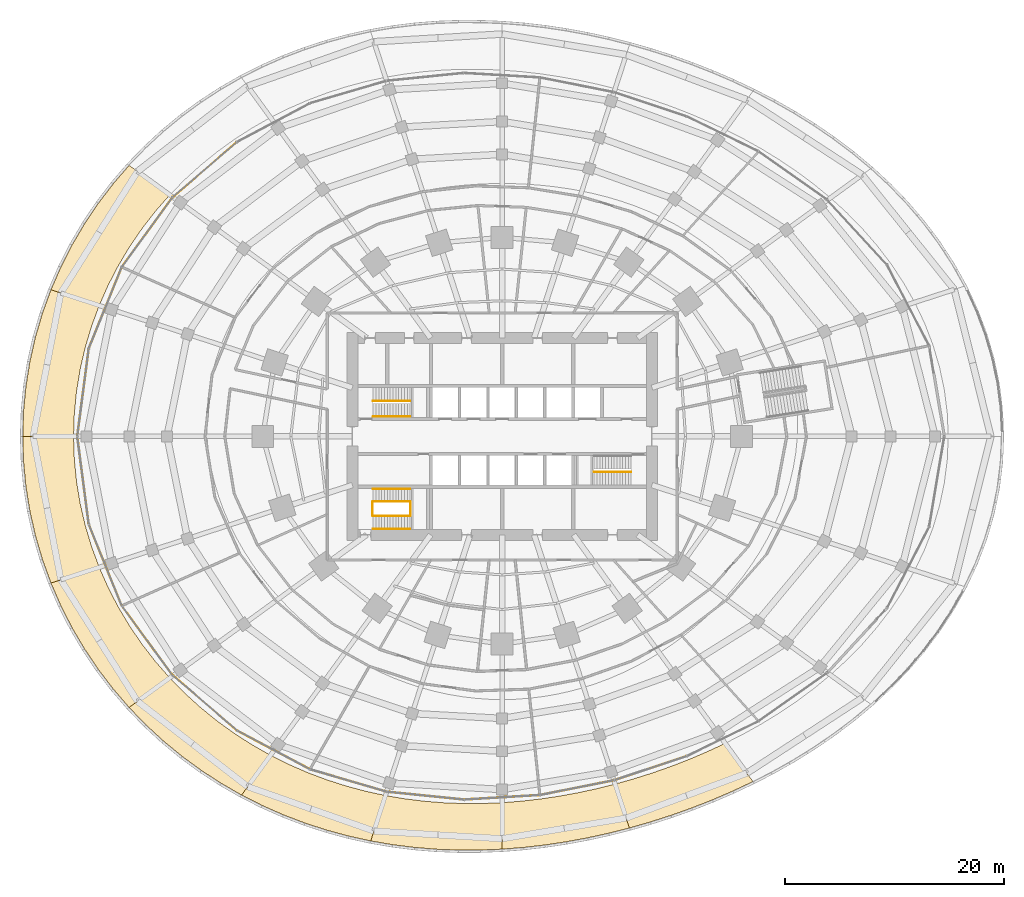
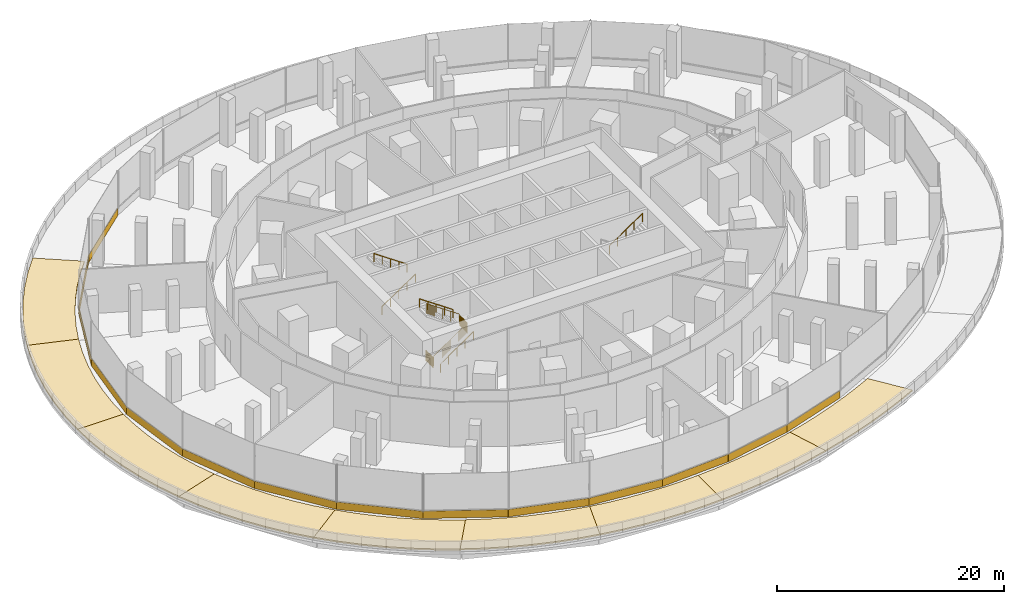
# One storey, part 29 of 31: 23 coverings, 9 railings.
"""IFC4 building model written with IfcOpenShell, lengths in metres."""

from ifc_helpers import new_model, si_unit, direction, frame, origin, origin_2d, place, context, subcontext, project, spatial, polyline, rectangle, circle, outline, extrude, material, layer, layer_set, type_object, element, save


model = new_model("IFC4")

# Units and contexts
model_context = context("Model", 3, precision=1e-05, world=origin(), true_north=direction((0.0, 1.0)))
body_context = subcontext(model_context, "Body", "Model", "MODEL_VIEW")
ifc_project = project(units=[si_unit("LENGTHUNIT", "METRE"), si_unit("AREAUNIT", "SQUARE_METRE"), si_unit("VOLUMEUNIT", "CUBIC_METRE"), si_unit("PLANEANGLEUNIT", "RADIAN"), si_unit("MASSUNIT", "GRAM", prefix="KILO")], contexts=[model_context])

# Site, building, storey
site_placement = place(None, origin())
site = spatial("IfcSite", under=ifc_project, at=site_placement, CompositionType="ELEMENT")
building_placement = place(site_placement, origin())
building = spatial("IfcBuilding", under=site, at=building_placement, Name="Marramba Exchange Tower", CompositionType="ELEMENT")
storey_placement = place(building_placement, frame((0.0, 0.0, 5.60009765625)))
storey = spatial("IfcBuildingStorey", under=building, at=storey_placement, Name="L01", CompositionType="ELEMENT", Elevation=5.60009765625)

# Coverings
ifc_material_1 = material(Name="Extensive green roof: growing medium on drainage cell, filter fabric and root-barrier membrane")
ifc_layer_1 = layer(ifc_material_1, 0.14990234375)
ifc_layer_set_1 = layer_set([ifc_layer_1], Name="Planted roof build-up 150")
covering_type_1 = type_object("IfcCoveringType", Name="Planted roof build-up 150", PredefinedType="ROOFING", material=ifc_layer_set_1)
covering_1_placement = place(storey_placement, origin())
element("IfcCovering", 1, at=covering_1_placement, inside=storey, type_object=covering_type_1, Name="Planted roof build-up L01 bay 09", PredefinedType="ROOFING", context=body_context, shape_type="SweptSolid", body=[
    extrude(outline(polyline([(-30.401611328125, 22.088134765625), (-31.709228515625, 20.59228515625), (-32.932861328125, 19.013671875), (-34.065673828125, 17.357421875), (-35.10107421875, 15.6279296875), (-36.0322265625, 13.83154296875), (-36.853515625, 11.974365234375), (-41.266845703125, 13.408447265625), (-41.266845703125, 13.408447265625), (-40.360595703125, 15.492919921875), (-39.331787109375, 17.511474609375), (-38.186279296875, 19.456787109375), (-36.93115234375, 21.322265625), (-35.573486328125, 23.1015625), (-34.12060546875, 24.7900390625), (-34.12060546875, 24.7900390625), (-30.401611328125, 22.088134765625)])), origin(), (0.0, 0.0, 1.0), 0.14990234375),
])
covering_2_placement = place(storey_placement, origin())
element("IfcCovering", 2, at=covering_2_placement, inside=storey, type_object=covering_type_1, Name="Planted roof build-up L01 bay 10", PredefinedType="ROOFING", context=body_context, shape_type="SweptSolid", body=[
    extrude(outline(polyline([(-36.853515625, 11.974365234375), (-37.558837890625, 10.06396484375), (-38.1435546875, 8.107666015625), (-38.60302734375, 6.114013671875), (-38.933837890625, 4.092041015625), (-39.13330078125, 2.05078125), (-39.199951171875, 0.0), (-43.85009765625, 0.0), (-43.776611328125, 2.294189453125), (-43.557373046875, 4.578125), (-43.193603515625, 6.84130859375), (-42.688232421875, 9.07373046875), (-42.04443359375, 11.265869140625), (-41.266845703125, 13.408447265625), (-36.853515625, 11.974365234375)])), origin(), (0.0, 0.0, 1.0), 0.14990234375),
])
covering_3_placement = place(storey_placement, origin())
element("IfcCovering", 3, at=covering_3_placement, inside=storey, type_object=covering_type_1, Name="Planted roof build-up L01 bay 11", PredefinedType="ROOFING", context=body_context, shape_type="SweptSolid", body=[
    extrude(outline(polyline([(-39.199951171875, 0.0), (-39.13330078125, -2.05078125), (-38.933837890625, -4.092041015625), (-38.60302734375, -6.114013671875), (-38.1435546875, -8.107666015625), (-37.558837890625, -10.06396484375), (-36.853515625, -11.974365234375), (-41.266845703125, -13.408447265625), (-42.04443359375, -11.265869140625), (-42.688232421875, -9.07373046875), (-43.193603515625, -6.84130859375), (-43.557373046875, -4.578125), (-43.776611328125, -2.294189453125), (-43.85009765625, 0.0), (-39.199951171875, 0.0)])), origin(), (0.0, 0.0, 1.0), 0.14990234375),
])
covering_4_placement = place(storey_placement, origin())
element("IfcCovering", 4, at=covering_4_placement, inside=storey, type_object=covering_type_1, Name="Planted roof build-up L01 bay 12", PredefinedType="ROOFING", context=body_context, shape_type="SweptSolid", body=[
    extrude(outline(polyline([(-36.853515625, -11.974365234375), (-36.0322265625, -13.83154296875), (-35.10107421875, -15.6279296875), (-34.065673828125, -17.357421875), (-32.932861328125, -19.013671875), (-31.709228515625, -20.59228515625), (-30.401611328125, -22.088134765625), (-34.12060546875, -24.7900390625), (-34.12060546875, -24.7900390625), (-35.573486328125, -23.1015625), (-36.93115234375, -21.322265625), (-38.186279296875, -19.456787109375), (-39.331787109375, -17.511474609375), (-40.360595703125, -15.492919921875), (-41.266845703125, -13.408447265625), (-41.266845703125, -13.408447265625), (-36.853515625, -11.974365234375)])), origin(), (0.0, 0.0, 1.0), 0.14990234375),
])
covering_5_placement = place(storey_placement, origin())
element("IfcCovering", 5, at=covering_5_placement, inside=storey, type_object=covering_type_1, Name="Planted roof build-up L01 bay 13", PredefinedType="ROOFING", context=body_context, shape_type="SweptSolid", body=[
    extrude(outline(polyline([(-30.401611328125, -22.088134765625), (-29.01708984375, -23.49755859375), (-27.56298828125, -24.81787109375), (-26.0458984375, -26.0458984375), (-24.47314453125, -27.18017578125), (-22.8515625, -28.219482421875), (-21.18798828125, -29.162841796875), (-23.833251953125, -32.8037109375), (-23.833251953125, -32.8037109375), (-25.696044921875, -31.732177734375), (-27.510009765625, -30.552734375), (-29.266845703125, -29.266845703125), (-30.95947265625, -27.876220703125), (-32.580078125, -26.3828125), (-34.12060546875, -24.7900390625), (-30.401611328125, -22.088134765625)])), origin(), (0.0, 0.0, 1.0), 0.14990234375),
])
covering_6_placement = place(storey_placement, origin())
element("IfcCovering", 6, at=covering_6_placement, inside=storey, type_object=covering_type_1, Name="Planted roof build-up L01 bay 14", PredefinedType="ROOFING", context=body_context, shape_type="SweptSolid", body=[
    extrude(outline(polyline([(-21.18798828125, -29.162841796875), (-19.489013671875, -30.01025390625), (-17.7607421875, -30.762451171875), (-16.009521484375, -31.420654296875), (-14.240966796875, -31.98583984375), (-12.46044921875, -32.460693359375), (-10.6728515625, -32.84765625), (-12.022216796875, -37.000732421875), (-12.022216796875, -37.000732421875), (-14.03369140625, -36.55908203125), (-16.035888671875, -36.017333984375), (-18.0234375, -35.372802734375), (-19.98974609375, -34.623291015625), (-21.9287109375, -33.767333984375), (-23.833251953125, -32.8037109375), (-21.18798828125, -29.162841796875)])), origin(), (0.0, 0.0, 1.0), 0.14990234375),
])
covering_7_placement = place(storey_placement, origin())
element("IfcCovering", 7, at=covering_7_placement, inside=storey, type_object=covering_type_1, Name="Planted roof build-up L01 bay 15", PredefinedType="ROOFING", context=body_context, shape_type="SweptSolid", body=[
    extrude(outline(polyline([(-10.6728515625, -32.84765625), (-8.88232421875, -33.1494140625), (-7.0927734375, -33.369140625), (-5.3076171875, -33.5107421875), (-3.529052734375, -33.5771484375), (-1.759521484375, -33.572509765625), (0.0, -33.5), (0.0, -37.75), (-1.982666015625, -37.83203125), (-3.976806640625, -37.83642578125), (-5.98046875, -37.759765625), (-7.99169921875, -37.597412109375), (-10.0068359375, -37.345703125), (-12.022216796875, -37.000732421875), (-10.6728515625, -32.84765625)])), origin(), (0.0, 0.0, 1.0), 0.14990234375),
])
covering_8_placement = place(storey_placement, origin())
element("IfcCovering", 8, at=covering_8_placement, inside=storey, type_object=covering_type_1, Name="Planted roof build-up L01 bay 16", PredefinedType="ROOFING", context=body_context, shape_type="SweptSolid", body=[
    extrude(outline(polyline([(0.0, -33.5), (1.74853515625, -33.363037109375), (3.48583984375, -33.164794921875), (5.212158203125, -32.907470703125), (6.927978515625, -32.59375), (8.634521484375, -32.224853515625), (10.3330078125, -31.801513671875), (11.636962890625, -35.81494140625), (9.725830078125, -36.29736328125), (7.8046875, -36.718017578125), (5.872314453125, -37.07568359375), (3.927490234375, -37.36865234375), (1.97021484375, -37.594482421875), (0.0, -37.75), (0.0, -33.5)])), origin(), (0.0, 0.0, 1.0), 0.14990234375),
])
covering_9_placement = place(storey_placement, origin())
element("IfcCovering", 9, at=covering_9_placement, inside=storey, type_object=covering_type_1, Name="Planted roof build-up L01 bay 17", PredefinedType="ROOFING", context=body_context, shape_type="SweptSolid", body=[
    extrude(outline(polyline([(10.3330078125, -31.801513671875), (12.024169921875, -31.323974609375), (13.70947265625, -30.791748046875), (15.389404296875, -30.203125), (17.064208984375, -29.55615234375), (18.73388671875, -28.84765625), (20.39697265625, -28.073974609375), (22.93798828125, -31.571533203125), (21.073974609375, -32.450927734375), (19.200927734375, -33.257080078125), (17.32080078125, -33.993896484375), (15.43359375, -34.664306640625), (13.5390625, -35.270751953125), (11.636962890625, -35.81494140625), (11.636962890625, -35.81494140625), (10.3330078125, -31.801513671875)])), origin(), (0.0, 0.0, 1.0), 0.14990234375),
])
ifc_material_2 = material(Name="Aluminium spandrel panel, bronze anodised, insulated", Category="aluminium")
ifc_layer_2 = layer(ifc_material_2, 0.050048828125)
ifc_layer_set_2 = layer_set([ifc_layer_2], Name="Spandrel panel 800")
covering_type_2 = type_object("IfcCoveringType", Name="Spandrel panel 800", PredefinedType="CLADDING", material=ifc_layer_set_2)
covering_10_placement = place(storey_placement, frame((-27.1787109375, 24.401123046875, 0.0), z_axis=(0.0, 0.0, 1.0), x_axis=(-0.75937387338, -0.650654532319, 0.0)))
element("IfcCovering", 10, at=covering_10_placement, inside=storey, type_object=covering_type_2, Name="Spandrel panel SP1 L01 F12", PredefinedType="CLADDING", context=body_context, shape_type="SweptSolid", body=[
    extrude(rectangle(XDim=7.74267578125, YDim=0.050048828125, at=origin_2d()), origin(), (0.0, 0.0, 1.0), 0.800048828125),
])
covering_11_placement = place(storey_placement, frame((-32.449951171875, 18.68408203125, 0.0), z_axis=(0.0, 0.0, 1.0), x_axis=(-0.589045553511, -0.808099830398, 0.0)))
element("IfcCovering", 11, at=covering_11_placement, inside=storey, type_object=covering_type_2, Name="Spandrel panel SP1 L01 F13", PredefinedType="CLADDING", context=body_context, shape_type="SweptSolid", body=[
    extrude(rectangle(XDim=7.915771484375, YDim=0.050048828125, at=origin_2d()), origin(), (0.0, 0.0, 1.0), 0.800048828125),
])
covering_12_placement = place(storey_placement, frame((-36.291259765625, 11.76025390625, 0.0), z_axis=(0.0, 0.0, 1.0), x_axis=(-0.375631794946, -0.926768986655, 0.0)))
element("IfcCovering", 12, at=covering_12_placement, inside=storey, type_object=covering_type_2, Name="Spandrel panel SP1 L01 F14", PredefinedType="CLADDING", context=body_context, shape_type="SweptSolid", body=[
    extrude(rectangle(XDim=8.03955078125, YDim=0.050048828125, at=origin_2d()), origin(), (0.0, 0.0, 1.0), 0.800048828125),
])
for number, where, z_axis, x_axis, name in (
    (13, (-38.325439453125, 4.017333984375, 0.0), (0.0, 0.0, 1.0), (-0.129442539429, -0.991586924574, 0.0), "Spandrel panel SP1 L01 F15"),
    (14, (-38.325439453125, -4.017333984375, 0.0), (0.0, 0.0, 1.0), (0.129442539429, -0.991586924574, 0.0), "Spandrel panel SP1 L01 F16"),
):
    element("IfcCovering", number, at=place(storey_placement, frame(where, z_axis=z_axis, x_axis=x_axis)), inside=storey, type_object=covering_type_2, Name=name, PredefinedType="CLADDING", context=body_context, shape_type="SweptSolid", body=[
        extrude(rectangle(XDim=8.10302734375, YDim=0.050048828125, at=origin_2d()), origin(), (0.0, 0.0, 1.0), 0.800048828125),
    ])
covering_13_placement = place(storey_placement, frame((-36.291259765625, -11.76025390625, 0.0), z_axis=(0.0, 0.0, 1.0), x_axis=(0.375631794946, -0.926768986655, 0.0)))
element("IfcCovering", 15, at=covering_13_placement, inside=storey, type_object=covering_type_2, Name="Spandrel panel SP1 L01 F17", PredefinedType="CLADDING", context=body_context, shape_type="SweptSolid", body=[
    extrude(rectangle(XDim=8.03955078125, YDim=0.050048828125, at=origin_2d()), origin(), (0.0, 0.0, 1.0), 0.800048828125),
])
covering_14_placement = place(storey_placement, frame((-32.449951171875, -18.68408203125, 0.0), z_axis=(0.0, 0.0, 1.0), x_axis=(0.589045553511, -0.808099830398, 0.0)))
element("IfcCovering", 16, at=covering_14_placement, inside=storey, type_object=covering_type_2, Name="Spandrel panel SP1 L01 F18", PredefinedType="CLADDING", context=body_context, shape_type="SweptSolid", body=[
    extrude(rectangle(XDim=7.915771484375, YDim=0.050048828125, at=origin_2d()), origin(), (0.0, 0.0, 1.0), 0.800048828125),
])
covering_15_placement = place(storey_placement, frame((-27.1787109375, -24.401123046875, 0.0), z_axis=(0.0, 0.0, 1.0), x_axis=(0.75937387338, -0.650654532319, 0.0)))
element("IfcCovering", 17, at=covering_15_placement, inside=storey, type_object=covering_type_2, Name="Spandrel panel SP1 L01 F19", PredefinedType="CLADDING", context=body_context, shape_type="SweptSolid", body=[
    extrude(rectangle(XDim=7.74267578125, YDim=0.050048828125, at=origin_2d()), origin(), (0.0, 0.0, 1.0), 0.800048828125),
])
covering_16_placement = place(storey_placement, frame((-20.912353515625, -28.689697265625, 0.0), z_axis=(0.0, 0.0, 1.0), x_axis=(0.882850649292, -0.469653841722, 0.0)))
element("IfcCovering", 18, at=covering_16_placement, inside=storey, type_object=covering_type_2, Name="Spandrel panel SP1 L01 F20", PredefinedType="CLADDING", context=body_context, shape_type="SweptSolid", body=[
    extrude(rectangle(XDim=7.5361328125, YDim=0.050048828125, at=origin_2d()), origin(), (0.0, 0.0, 1.0), 0.800048828125),
])
covering_17_placement = place(storey_placement, frame((-14.0751953125, -31.487060546875, 0.0), z_axis=(0.0, 0.0, 1.0), x_axis=(0.959725288958, -0.280940153297, 0.0)))
element("IfcCovering", 19, at=covering_17_placement, inside=storey, type_object=covering_type_2, Name="Spandrel panel SP1 L01 F21", PredefinedType="CLADDING", context=body_context, shape_type="SweptSolid", body=[
    extrude(rectangle(XDim=7.315673828125, YDim=0.050048828125, at=origin_2d()), origin(), (0.0, 0.0, 1.0), 0.800048828125),
])
covering_18_placement = place(storey_placement, frame((-7.028564453125, -32.871826171875, 0.0), z_axis=(0.0, 0.0, 1.0), x_axis=(0.994936466156, -0.100505862083, 0.0)))
element("IfcCovering", 20, at=covering_18_placement, inside=storey, type_object=covering_type_2, Name="Spandrel panel SP1 L01 F22", PredefinedType="CLADDING", context=body_context, shape_type="SweptSolid", body=[
    extrude(rectangle(XDim=7.108154296875, YDim=0.050048828125, at=origin_2d()), origin(), (0.0, 0.0, 1.0), 0.800048828125),
])
covering_19_placement = place(storey_placement, frame((-0.021728515625, -33.02294921875, 0.0), z_axis=(0.0, 0.0, 1.0), x_axis=(0.998239184038, 0.059317210412, 0.0)))
element("IfcCovering", 21, at=covering_19_placement, inside=storey, type_object=covering_type_2, Name="Spandrel panel SP1 L01 F23", PredefinedType="CLADDING", context=body_context, shape_type="SweptSolid", body=[
    extrude(rectangle(XDim=6.953857421875, YDim=0.050048828125, at=origin_2d()), origin(), (0.0, 0.0, 1.0), 0.800048828125),
])
covering_20_placement = place(storey_placement, frame((6.8369140625, -32.142578125, 0.0), z_axis=(0.0, 0.0, 1.0), x_axis=(0.980779440443, 0.195119679183, 0.0)))
element("IfcCovering", 22, at=covering_20_placement, inside=storey, type_object=covering_type_2, Name="Spandrel panel SP1 L01 F24", PredefinedType="CLADDING", context=body_context, shape_type="SweptSolid", body=[
    extrude(rectangle(XDim=6.908447265625, YDim=0.050048828125, at=origin_2d()), origin(), (0.0, 0.0, 1.0), 0.800048828125),
])
covering_21_placement = place(storey_placement, frame((13.55712890625, -30.36083984375, 0.0), z_axis=(0.0, 0.0, 1.0), x_axis=(0.948934100203, 0.315474362621, 0.0)))
element("IfcCovering", 23, at=covering_21_placement, inside=storey, type_object=covering_type_2, Name="Spandrel panel SP1 L01 F25", PredefinedType="CLADDING", context=body_context, shape_type="SweptSolid", body=[
    extrude(rectangle(XDim=7.023193359375, YDim=0.050048828125, at=origin_2d()), origin(), (0.0, 0.0, 1.0), 0.800048828125),
])

# Railings
ifc_material_3 = material(Name="Stainless steel handrail", Category="steel")
railing_type_1 = type_object("IfcRailingType", Name="Stair handrail 900", PredefinedType="HANDRAIL", material=ifc_material_3)
railing_1_placement = place(storey_placement, frame((-11.800048828125, 1.800048828125, 0.178466796875)))
element("IfcRailing", 24, at=railing_1_placement, inside=storey, type_object=railing_type_1, Name="Handrail HR1 ST1 L01 flight 1", PredefinedType="HANDRAIL", context=body_context, shape_type="SweptSolid", body=[
    extrude(circle(Radius=0.02392578125, at=origin_2d()), frame((0.0, 0.0, 0.8759765625), z_axis=(0.824304150675, 0.0, 0.566147213346), x_axis=(0.0, 1.0, 0.0)), (0.0, 0.0, 1.0), 4.1005859375),
    extrude(circle(Radius=0.02099609375, at=origin_2d()), origin(), (0.0, 0.0, 1.0), 0.851806640625),
    extrude(circle(Radius=0.02099609375, at=origin_2d()), frame((0.844970703125, 0.0, 0.580322265625)), (0.0, 0.0, 1.0), 0.851806640625),
    extrude(circle(Radius=0.02099609375, at=origin_2d()), frame((1.68994140625, 0.0, 1.16064453125)), (0.0, 0.0, 1.0), 0.851806640625),
    extrude(circle(Radius=0.02099609375, at=origin_2d()), frame((2.53515625, 0.0, 1.7412109375)), (0.0, 0.0, 1.0), 0.851806640625),
    extrude(circle(Radius=0.02099609375, at=origin_2d()), frame((3.380126953125, 0.0, 2.321533203125)), (0.0, 0.0, 1.0), 0.851806640625),
])
railing_2_placement = place(storey_placement, frame((-8.419921875, 3.25, 2.678466796875)))
element("IfcRailing", 25, at=railing_2_placement, inside=storey, type_object=railing_type_1, Name="Handrail HR1 ST1 L01 flight 2", PredefinedType="HANDRAIL", context=body_context, shape_type="SweptSolid", body=[
    extrude(circle(Radius=0.02392578125, at=origin_2d()), frame((0.0, 0.0, 0.8759765625), z_axis=(-0.824304150675, 0.0, 0.566147213346), x_axis=(0.0, -1.0, 0.0)), (0.0, 0.0, 1.0), 4.1005859375),
    extrude(circle(Radius=0.02099609375, at=origin_2d()), origin(), (0.0, 0.0, 1.0), 0.851806640625),
    extrude(circle(Radius=0.02099609375, at=origin_2d()), frame((-0.844970703125, 0.0, 0.580322265625)), (0.0, 0.0, 1.0), 0.851806640625),
    extrude(circle(Radius=0.02099609375, at=origin_2d()), frame((-1.68994140625, 0.0, 1.16064453125)), (0.0, 0.0, 1.0), 0.851806640625),
    extrude(circle(Radius=0.02099609375, at=origin_2d()), frame((-2.53515625, 0.0, 1.7412109375)), (0.0, 0.0, 1.0), 0.851806640625),
    extrude(circle(Radius=0.02099609375, at=origin_2d()), frame((-3.380126953125, 0.0, 2.321533203125)), (0.0, 0.0, 1.0), 0.851806640625),
])
for number, where, name in (
    (26, (8.419921875, -3.25, 2.678466796875), "Handrail HR1 ST2 L01 flight 2"),
    (27, (-11.800048828125, -8.449951171875, 0.178466796875), "Handrail HR1 ST3 L01 flight 1"),
):
    element("IfcRailing", number, at=place(storey_placement, frame(where)), inside=storey, type_object=railing_type_1, Name=name, PredefinedType="HANDRAIL", context=body_context, shape_type="SweptSolid", body=[
        extrude(circle(Radius=0.02392578125, at=origin_2d()), frame((0.0, 0.0, 0.8759765625), z_axis=(0.824304150675, 0.0, 0.566147213346), x_axis=(0.0, 1.0, 0.0)), (0.0, 0.0, 1.0), 4.1005859375),
        extrude(circle(Radius=0.02099609375, at=origin_2d()), origin(), (0.0, 0.0, 1.0), 0.851806640625),
        extrude(circle(Radius=0.02099609375, at=origin_2d()), frame((0.844970703125, 0.0, 0.580322265625)), (0.0, 0.0, 1.0), 0.851806640625),
        extrude(circle(Radius=0.02099609375, at=origin_2d()), frame((1.68994140625, 0.0, 1.16064453125)), (0.0, 0.0, 1.0), 0.851806640625),
        extrude(circle(Radius=0.02099609375, at=origin_2d()), frame((2.53515625, 0.0, 1.7412109375)), (0.0, 0.0, 1.0), 0.851806640625),
        extrude(circle(Radius=0.02099609375, at=origin_2d()), frame((3.380126953125, 0.0, 2.321533203125)), (0.0, 0.0, 1.0), 0.851806640625),
    ])
railing_3_placement = place(storey_placement, frame((-8.419921875, -4.800048828125, 2.678466796875)))
element("IfcRailing", 28, at=railing_3_placement, inside=storey, type_object=railing_type_1, Name="Handrail HR1 ST3 L01 flight 2", PredefinedType="HANDRAIL", context=body_context, shape_type="SweptSolid", body=[
    extrude(circle(Radius=0.02392578125, at=origin_2d()), frame((0.0, 0.0, 0.8759765625), z_axis=(-0.824304150675, 0.0, 0.566147213346), x_axis=(0.0, -1.0, 0.0)), (0.0, 0.0, 1.0), 4.1005859375),
    extrude(circle(Radius=0.02099609375, at=origin_2d()), origin(), (0.0, 0.0, 1.0), 0.851806640625),
    extrude(circle(Radius=0.02099609375, at=origin_2d()), frame((-0.844970703125, 0.0, 0.580322265625)), (0.0, 0.0, 1.0), 0.851806640625),
    extrude(circle(Radius=0.02099609375, at=origin_2d()), frame((-1.68994140625, 0.0, 1.16064453125)), (0.0, 0.0, 1.0), 0.851806640625),
    extrude(circle(Radius=0.02099609375, at=origin_2d()), frame((-2.53515625, 0.0, 1.7412109375)), (0.0, 0.0, 1.0), 0.851806640625),
    extrude(circle(Radius=0.02099609375, at=origin_2d()), frame((-3.380126953125, 0.0, 2.321533203125)), (0.0, 0.0, 1.0), 0.851806640625),
])
ifc_material_4 = material(Name="Stainless steel guard", Category="steel")
railing_type_2 = type_object("IfcRailingType", Name="Stair well guard 1100", PredefinedType="GUARDRAIL", material=ifc_material_4)
railing_4_placement = place(storey_placement, frame((-11.800048828125, -7.300048828125, 0.178466796875)))
element("IfcRailing", 29, at=railing_4_placement, inside=storey, type_object=railing_type_2, Name="Stair well guard GR2 ST3 L01 flight 1", PredefinedType="GUARDRAIL", context=body_context, shape_type="SweptSolid", body=[
    extrude(circle(Radius=0.02392578125, at=origin_2d()), frame((0.0, 0.0, 1.076171875), z_axis=(0.824304150675, 0.0, 0.566147213346), x_axis=(0.0, 1.0, 0.0)), (0.0, 0.0, 1.0), 4.1005859375),
    extrude(circle(Radius=0.02099609375, at=origin_2d()), origin(), (0.0, 0.0, 1.0), 1.052001953125),
    extrude(circle(Radius=0.02099609375, at=origin_2d()), frame((0.844970703125, 0.0, 0.580322265625)), (0.0, 0.0, 1.0), 1.052001953125),
    extrude(circle(Radius=0.02099609375, at=origin_2d()), frame((1.68994140625, 0.0, 1.16064453125)), (0.0, 0.0, 1.0), 1.052001953125),
    extrude(circle(Radius=0.02099609375, at=origin_2d()), frame((2.53515625, 0.0, 1.7412109375)), (0.0, 0.0, 1.0), 1.052001953125),
    extrude(circle(Radius=0.02099609375, at=origin_2d()), frame((3.380126953125, 0.0, 2.321533203125)), (0.0, 0.0, 1.0), 1.052001953125),
    extrude(circle(Radius=0.006103515625, at=origin_2d()), frame((0.116943359375, 0.0, 0.080322265625)), (0.0, 0.0, 1.0), 1.052001953125),
    extrude(circle(Radius=0.006103515625, at=origin_2d()), frame((0.21875, 0.0, 0.150146484375)), (0.0, 0.0, 1.0), 1.052001953125),
    extrude(circle(Radius=0.006103515625, at=origin_2d()), frame((0.320556640625, 0.0, 0.22021484375)), (0.0, 0.0, 1.0), 1.052001953125),
    extrude(circle(Radius=0.006103515625, at=origin_2d()), frame((0.422607421875, 0.0, 0.290283203125)), (0.0, 0.0, 1.0), 1.052001953125),
    extrude(circle(Radius=0.006103515625, at=origin_2d()), frame((0.5244140625, 0.0, 0.360107421875)), (0.0, 0.0, 1.0), 1.052001953125),
    extrude(circle(Radius=0.006103515625, at=origin_2d()), frame((0.626220703125, 0.0, 0.43017578125)), (0.0, 0.0, 1.0), 1.052001953125),
    extrude(circle(Radius=0.006103515625, at=origin_2d()), frame((0.728271484375, 0.0, 0.5)), (0.0, 0.0, 1.0), 1.052001953125),
    extrude(circle(Radius=0.006103515625, at=origin_2d()), frame((0.9619140625, 0.0, 0.66064453125)), (0.0, 0.0, 1.0), 1.052001953125),
    extrude(circle(Radius=0.006103515625, at=origin_2d()), frame((1.063720703125, 0.0, 0.730712890625)), (0.0, 0.0, 1.0), 1.052001953125),
    extrude(circle(Radius=0.006103515625, at=origin_2d()), frame((1.165771484375, 0.0, 0.800537109375)), (0.0, 0.0, 1.0), 1.052001953125),
    extrude(circle(Radius=0.006103515625, at=origin_2d()), frame((1.267578125, 0.0, 0.87060546875)), (0.0, 0.0, 1.0), 1.052001953125),
    extrude(circle(Radius=0.006103515625, at=origin_2d()), frame((1.369384765625, 0.0, 0.9404296875)), (0.0, 0.0, 1.0), 1.052001953125),
    extrude(circle(Radius=0.006103515625, at=origin_2d()), frame((1.47119140625, 0.0, 1.010498046875)), (0.0, 0.0, 1.0), 1.052001953125),
    extrude(circle(Radius=0.006103515625, at=origin_2d()), frame((1.5732421875, 0.0, 1.08056640625)), (0.0, 0.0, 1.0), 1.052001953125),
    extrude(circle(Radius=0.006103515625, at=origin_2d()), frame((1.806884765625, 0.0, 1.240966796875)), (0.0, 0.0, 1.0), 1.052001953125),
    extrude(circle(Radius=0.006103515625, at=origin_2d()), frame((1.908935546875, 0.0, 1.31103515625)), (0.0, 0.0, 1.0), 1.052001953125),
    extrude(circle(Radius=0.006103515625, at=origin_2d()), frame((2.0107421875, 0.0, 1.381103515625)), (0.0, 0.0, 1.0), 1.052001953125),
    extrude(circle(Radius=0.006103515625, at=origin_2d()), frame((2.112548828125, 0.0, 1.450927734375)), (0.0, 0.0, 1.0), 1.052001953125),
    extrude(circle(Radius=0.006103515625, at=origin_2d()), frame((2.21435546875, 0.0, 1.52099609375)), (0.0, 0.0, 1.0), 1.052001953125),
    extrude(circle(Radius=0.006103515625, at=origin_2d()), frame((2.31640625, 0.0, 1.5908203125)), (0.0, 0.0, 1.0), 1.052001953125),
    extrude(circle(Radius=0.006103515625, at=origin_2d()), frame((2.418212890625, 0.0, 1.660888671875)), (0.0, 0.0, 1.0), 1.052001953125),
    extrude(circle(Radius=0.006103515625, at=origin_2d()), frame((2.65185546875, 0.0, 1.821533203125)), (0.0, 0.0, 1.0), 1.052001953125),
    extrude(circle(Radius=0.006103515625, at=origin_2d()), frame((2.75390625, 0.0, 1.891357421875)), (0.0, 0.0, 1.0), 1.052001953125),
    extrude(circle(Radius=0.006103515625, at=origin_2d()), frame((2.855712890625, 0.0, 1.96142578125)), (0.0, 0.0, 1.0), 1.052001953125),
    extrude(circle(Radius=0.006103515625, at=origin_2d()), frame((2.95751953125, 0.0, 2.03125)), (0.0, 0.0, 1.0), 1.052001953125),
    extrude(circle(Radius=0.006103515625, at=origin_2d()), frame((3.0595703125, 0.0, 2.101318359375)), (0.0, 0.0, 1.0), 1.052001953125),
    extrude(circle(Radius=0.006103515625, at=origin_2d()), frame((3.161376953125, 0.0, 2.17138671875)), (0.0, 0.0, 1.0), 1.052001953125),
    extrude(circle(Radius=0.006103515625, at=origin_2d()), frame((3.26318359375, 0.0, 2.2412109375)), (0.0, 0.0, 1.0), 1.052001953125),
])
railing_5_placement = place(storey_placement, frame((-8.419921875, -5.949951171875, 2.678466796875)))
element("IfcRailing", 30, at=railing_5_placement, inside=storey, type_object=railing_type_2, Name="Stair well guard GR2 ST3 L01 flight 2", PredefinedType="GUARDRAIL", context=body_context, shape_type="SweptSolid", body=[
    extrude(circle(Radius=0.02392578125, at=origin_2d()), frame((0.0, 0.0, 1.076171875), z_axis=(-0.824304150675, 0.0, 0.566147213346), x_axis=(0.0, -1.0, 0.0)), (0.0, 0.0, 1.0), 4.1005859375),
    extrude(circle(Radius=0.02099609375, at=origin_2d()), origin(), (0.0, 0.0, 1.0), 1.052001953125),
    extrude(circle(Radius=0.02099609375, at=origin_2d()), frame((-0.844970703125, 0.0, 0.580322265625)), (0.0, 0.0, 1.0), 1.052001953125),
    extrude(circle(Radius=0.02099609375, at=origin_2d()), frame((-1.68994140625, 0.0, 1.16064453125)), (0.0, 0.0, 1.0), 1.052001953125),
    extrude(circle(Radius=0.02099609375, at=origin_2d()), frame((-2.53515625, 0.0, 1.7412109375)), (0.0, 0.0, 1.0), 1.052001953125),
    extrude(circle(Radius=0.02099609375, at=origin_2d()), frame((-3.380126953125, 0.0, 2.321533203125)), (0.0, 0.0, 1.0), 1.052001953125),
    extrude(circle(Radius=0.006103515625, at=origin_2d()), frame((-0.116943359375, 0.0, 0.080322265625)), (0.0, 0.0, 1.0), 1.052001953125),
    extrude(circle(Radius=0.006103515625, at=origin_2d()), frame((-0.21875, 0.0, 0.150146484375)), (0.0, 0.0, 1.0), 1.052001953125),
    extrude(circle(Radius=0.006103515625, at=origin_2d()), frame((-0.320556640625, 0.0, 0.22021484375)), (0.0, 0.0, 1.0), 1.052001953125),
    extrude(circle(Radius=0.006103515625, at=origin_2d()), frame((-0.422607421875, 0.0, 0.290283203125)), (0.0, 0.0, 1.0), 1.052001953125),
    extrude(circle(Radius=0.006103515625, at=origin_2d()), frame((-0.5244140625, 0.0, 0.360107421875)), (0.0, 0.0, 1.0), 1.052001953125),
    extrude(circle(Radius=0.006103515625, at=origin_2d()), frame((-0.626220703125, 0.0, 0.43017578125)), (0.0, 0.0, 1.0), 1.052001953125),
    extrude(circle(Radius=0.006103515625, at=origin_2d()), frame((-0.728271484375, 0.0, 0.5)), (0.0, 0.0, 1.0), 1.052001953125),
    extrude(circle(Radius=0.006103515625, at=origin_2d()), frame((-0.9619140625, 0.0, 0.66064453125)), (0.0, 0.0, 1.0), 1.052001953125),
    extrude(circle(Radius=0.006103515625, at=origin_2d()), frame((-1.063720703125, 0.0, 0.730712890625)), (0.0, 0.0, 1.0), 1.052001953125),
    extrude(circle(Radius=0.006103515625, at=origin_2d()), frame((-1.165771484375, 0.0, 0.800537109375)), (0.0, 0.0, 1.0), 1.052001953125),
    extrude(circle(Radius=0.006103515625, at=origin_2d()), frame((-1.267578125, 0.0, 0.87060546875)), (0.0, 0.0, 1.0), 1.052001953125),
    extrude(circle(Radius=0.006103515625, at=origin_2d()), frame((-1.369384765625, 0.0, 0.9404296875)), (0.0, 0.0, 1.0), 1.052001953125),
    extrude(circle(Radius=0.006103515625, at=origin_2d()), frame((-1.47119140625, 0.0, 1.010498046875)), (0.0, 0.0, 1.0), 1.052001953125),
    extrude(circle(Radius=0.006103515625, at=origin_2d()), frame((-1.5732421875, 0.0, 1.08056640625)), (0.0, 0.0, 1.0), 1.052001953125),
    extrude(circle(Radius=0.006103515625, at=origin_2d()), frame((-1.806884765625, 0.0, 1.240966796875)), (0.0, 0.0, 1.0), 1.052001953125),
    extrude(circle(Radius=0.006103515625, at=origin_2d()), frame((-1.908935546875, 0.0, 1.31103515625)), (0.0, 0.0, 1.0), 1.052001953125),
    extrude(circle(Radius=0.006103515625, at=origin_2d()), frame((-2.0107421875, 0.0, 1.381103515625)), (0.0, 0.0, 1.0), 1.052001953125),
    extrude(circle(Radius=0.006103515625, at=origin_2d()), frame((-2.112548828125, 0.0, 1.450927734375)), (0.0, 0.0, 1.0), 1.052001953125),
    extrude(circle(Radius=0.006103515625, at=origin_2d()), frame((-2.21435546875, 0.0, 1.52099609375)), (0.0, 0.0, 1.0), 1.052001953125),
    extrude(circle(Radius=0.006103515625, at=origin_2d()), frame((-2.31640625, 0.0, 1.5908203125)), (0.0, 0.0, 1.0), 1.052001953125),
    extrude(circle(Radius=0.006103515625, at=origin_2d()), frame((-2.418212890625, 0.0, 1.660888671875)), (0.0, 0.0, 1.0), 1.052001953125),
    extrude(circle(Radius=0.006103515625, at=origin_2d()), frame((-2.65185546875, 0.0, 1.821533203125)), (0.0, 0.0, 1.0), 1.052001953125),
    extrude(circle(Radius=0.006103515625, at=origin_2d()), frame((-2.75390625, 0.0, 1.891357421875)), (0.0, 0.0, 1.0), 1.052001953125),
    extrude(circle(Radius=0.006103515625, at=origin_2d()), frame((-2.855712890625, 0.0, 1.96142578125)), (0.0, 0.0, 1.0), 1.052001953125),
    extrude(circle(Radius=0.006103515625, at=origin_2d()), frame((-2.95751953125, 0.0, 2.03125)), (0.0, 0.0, 1.0), 1.052001953125),
    extrude(circle(Radius=0.006103515625, at=origin_2d()), frame((-3.0595703125, 0.0, 2.101318359375)), (0.0, 0.0, 1.0), 1.052001953125),
    extrude(circle(Radius=0.006103515625, at=origin_2d()), frame((-3.161376953125, 0.0, 2.17138671875)), (0.0, 0.0, 1.0), 1.052001953125),
    extrude(circle(Radius=0.006103515625, at=origin_2d()), frame((-3.26318359375, 0.0, 2.2412109375)), (0.0, 0.0, 1.0), 1.052001953125),
])
for number, where, name in (
    (31, (-8.3701171875, -7.25, 2.5), "Stair well guard GR2 ST3 L01 half landing"),
    (32, (-11.85009765625, -7.25, 0.0), "Stair well guard GR2 ST3 L01 floor landing"),
):
    element("IfcRailing", number, at=place(storey_placement, frame(where)), inside=storey, type_object=railing_type_2, Name=name, PredefinedType="GUARDRAIL", context=body_context, shape_type="SweptSolid", body=[
        extrude(circle(Radius=0.02392578125, at=origin_2d()), frame((0.0, 0.0, 1.076171875), z_axis=(0.0, 1.0, 0.0), x_axis=(-1.0, 0.0, 0.0)), (0.0, 0.0, 1.0), 1.25),
        extrude(circle(Radius=0.02099609375, at=origin_2d()), origin(), (0.0, 0.0, 1.0), 1.052001953125),
        extrude(circle(Radius=0.02099609375, at=origin_2d()), frame((0.0, 0.625, 0.0)), (0.0, 0.0, 1.0), 1.052001953125),
        extrude(circle(Radius=0.02099609375, at=origin_2d()), frame((0.0, 1.25, 0.0)), (0.0, 0.0, 1.0), 1.052001953125),
        extrude(circle(Radius=0.006103515625, at=origin_2d()), frame((0.0, 0.1142578125, 0.0)), (0.0, 0.0, 1.0), 1.052001953125),
        extrude(circle(Radius=0.006103515625, at=origin_2d()), frame((0.0, 0.21337890625, 0.0)), (0.0, 0.0, 1.0), 1.052001953125),
        extrude(circle(Radius=0.006103515625, at=origin_2d()), frame((0.0, 0.3125, 0.0)), (0.0, 0.0, 1.0), 1.052001953125),
        extrude(circle(Radius=0.006103515625, at=origin_2d()), frame((0.0, 0.41162109375, 0.0)), (0.0, 0.0, 1.0), 1.052001953125),
        extrude(circle(Radius=0.006103515625, at=origin_2d()), frame((0.0, 0.5107421875, 0.0)), (0.0, 0.0, 1.0), 1.052001953125),
        extrude(circle(Radius=0.006103515625, at=origin_2d()), frame((0.0, 0.7392578125, 0.0)), (0.0, 0.0, 1.0), 1.052001953125),
        extrude(circle(Radius=0.006103515625, at=origin_2d()), frame((0.0, 0.83837890625, 0.0)), (0.0, 0.0, 1.0), 1.052001953125),
        extrude(circle(Radius=0.006103515625, at=origin_2d()), frame((0.0, 0.9375, 0.0)), (0.0, 0.0, 1.0), 1.052001953125),
        extrude(circle(Radius=0.006103515625, at=origin_2d()), frame((0.0, 1.03662109375, 0.0)), (0.0, 0.0, 1.0), 1.052001953125),
        extrude(circle(Radius=0.006103515625, at=origin_2d()), frame((0.0, 1.1357421875, 0.0)), (0.0, 0.0, 1.0), 1.052001953125),
    ])

save(model, "model.ifc")
